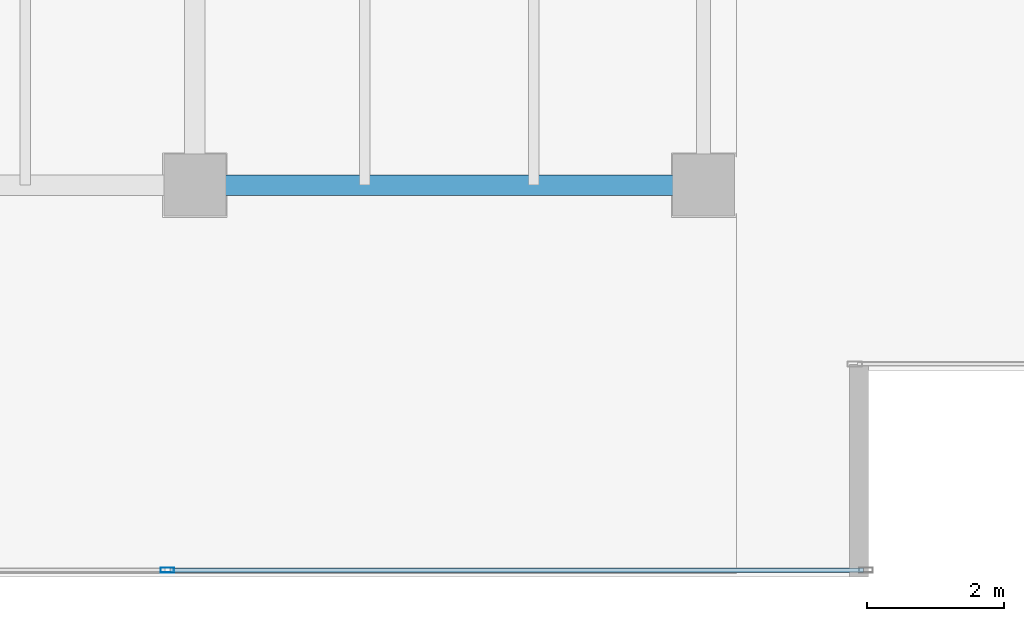
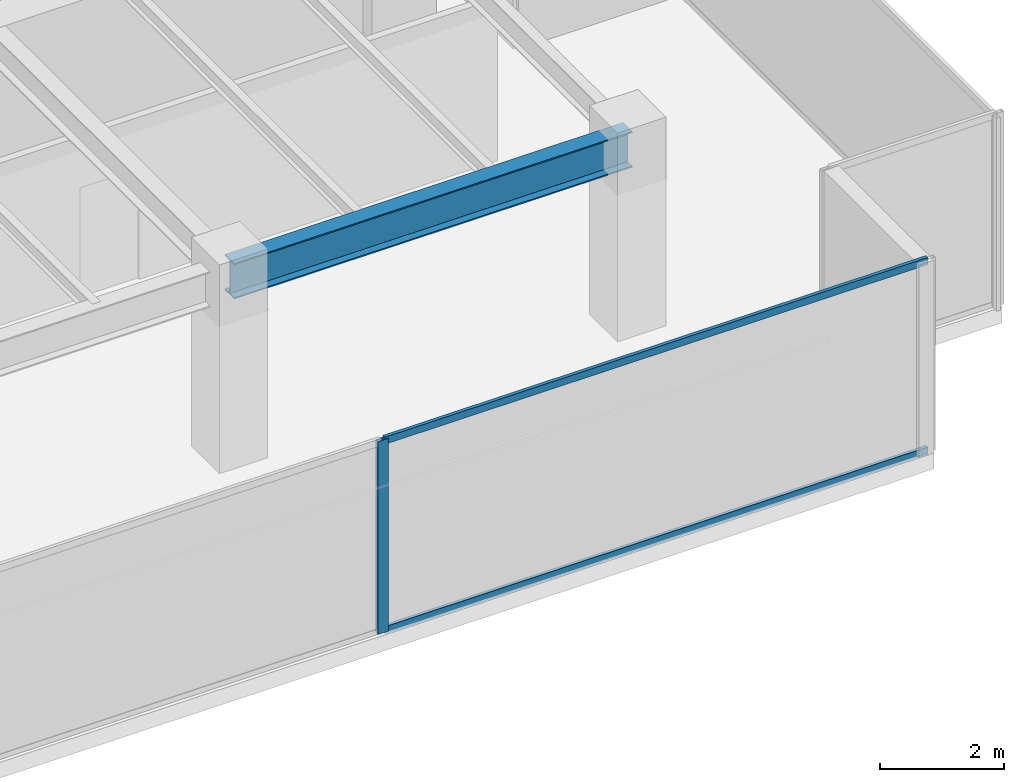
# One storey, part 12 of 34: 3 members, 1 beam, 1 element without a shape of its own.
"""IFC4 building model written with IfcOpenShell, lengths in metres."""

from ifc_helpers import new_model, si_unit, direction, frame, origin, origin_2d, place, context, subcontext, project, spatial, hollow_rectangle, i_section, extrude, source, transform, mapped, material, layer, layer_set, material_profile, profile_set, type_object, type_shapes, element, aggregate, save


model = new_model("IFC4")

# Units and contexts
model_context = context("Model", 3, precision=1e-05, world=origin(), true_north=direction((0.0, 1.0)))
body_context = subcontext(model_context, "Body", "Model", "MODEL_VIEW")
ifc_project = project(units=[si_unit("LENGTHUNIT", "METRE"), si_unit("AREAUNIT", "SQUARE_METRE"), si_unit("VOLUMEUNIT", "CUBIC_METRE"), si_unit("PLANEANGLEUNIT", "RADIAN"), si_unit("MASSUNIT", "GRAM", prefix="KILO")], contexts=[model_context])

# Site, building, storey
site_placement = place(None, origin())
site = spatial("IfcSite", under=ifc_project, at=site_placement, CompositionType="ELEMENT")
building_placement = place(site_placement, origin())
building = spatial("IfcBuilding", under=site, at=building_placement, Name="Haelvirn Gate Laboratories", CompositionType="ELEMENT")
storey_placement = place(building_placement, frame((0.0, 0.0, 178.89990234375)))
storey = spatial("IfcBuildingStorey", under=building, at=storey_placement, Name="L43", CompositionType="ELEMENT", Elevation=178.89990234375)

# Beam
ifc_material_1 = material(Name="Steel SM355", Category="steel")
ifc_material_profile_1 = material_profile(ifc_material_1, i_section(OverallWidth=0.300048828125, OverallDepth=0.699951171875, WebThickness=0.012939453125, FlangeThickness=0.02392578125, at=origin_2d()), Name="H-700x300x13x24")
ifc_profile_set_1 = profile_set([ifc_material_profile_1], Name="Steel SM355")
beam_type = type_object("IfcBeamType", Name="BM-G-700", PredefinedType="BEAM", material=ifc_profile_set_1)
shared_shape_1 = source(origin(), body_context, "Body", "SweptSolid", [
    extrude(i_section(OverallWidth=0.300048828125, OverallDepth=0.699951171875, WebThickness=0.012939453125, FlangeThickness=0.02392578125, at=origin_2d()), origin(), (0.0, 0.0, 1.0), 7.39990234375),
])
type_shapes(beam_type, [shared_shape_1])
beam_placement = place(storey_placement, frame((60.0, 7.0, 3.440185546875), z_axis=(1.0, 0.0, 0.0), x_axis=(0.0, 1.0, 0.0)))
element("IfcBeam", 1, at=beam_placement, inside=storey, type_object=beam_type, Name="L43 Primary Girder Y7.0 (60.0-67.4)", PredefinedType="BEAM", context=body_context, shape_type="MappedRepresentation", body=[
    mapped(shared_shape_1, transform((0.0, 0.0, 0.0), scale=1.0)),
])

# Curtain wall, members
ifc_material_2 = material(Name="Anodised bronze unitised aluminium & triple low-E glass", Category="aluminium")
ifc_layer = layer(ifc_material_2, 0.179931640625, Name="CW-SYS-3")
ifc_layer_set = layer_set([ifc_layer], Name="Anodised bronze unitised aluminium & triple low-E glass")
curtain_wall_type = type_object("IfcCurtainWallType", Name="CW-SYS-3", PredefinedType="NOTDEFINED", material=ifc_layer_set)
curtain_wall_placement = place(storey_placement, origin())
curtain_wall = element("IfcCurtainWall", 2, at=curtain_wall_placement, inside=storey, type_object=curtain_wall_type, Name="L43 Unitised Curtain Wall CW-L43-P0-E04-1", PredefinedType="NOTDEFINED")
ifc_material_3 = material(Name="Extruded aluminium 6063-T6 (anodised bronze)", Category="aluminium")
ifc_material_profile_2 = material_profile(ifc_material_3, hollow_rectangle(XDim=0.06494140625, YDim=0.139892578125, WallThickness=0.00390625, at=origin_2d()), Name="CWT-140x65x4")
ifc_profile_set_2 = profile_set([ifc_material_profile_2], Name="Extruded aluminium 6063-T6 (anodised bronze)")
member_type_1 = type_object("IfcMemberType", Name="CWT-T140", PredefinedType="USERDEFINED", material=ifc_profile_set_2)
shared_shape_2 = source(origin(), body_context, "Body", "SweptSolid", [
    extrude(hollow_rectangle(XDim=0.06494140625, YDim=0.139892578125, WallThickness=0.00390625, at=origin_2d()), origin(), (0.0, 0.0, 1.0), 10.087646484375),
])
type_shapes(member_type_1, [shared_shape_2])
member_1_placement = place(storey_placement, frame((59.637451171875, 1.39990234375, 0.03271484375), z_axis=(1.0, 0.0, 0.0), x_axis=(0.0, 1.0, 0.0)))
member_1 = element("IfcMember", 3, at=member_1_placement, type_object=member_type_1, Name="CW3 transom 2.1", ObjectType="TRANSOM", PredefinedType="USERDEFINED", context=body_context, shape_type="MappedRepresentation", body=[
    mapped(shared_shape_2, transform((0.0, 0.0, 0.0), scale=1.0)),
])
member_2_placement = place(storey_placement, frame((59.637451171875, 1.39990234375, 3.757568359375), z_axis=(1.0, 0.0, 0.0), x_axis=(0.0, 1.0, 0.0)))
member_2 = element("IfcMember", 4, at=member_2_placement, type_object=member_type_1, Name="CW3 transom 2.2", ObjectType="TRANSOM", PredefinedType="USERDEFINED", context=body_context, shape_type="MappedRepresentation", body=[
    mapped(shared_shape_2, transform((0.0, 0.0, 0.0), scale=1.0)),
])
ifc_material_profile_3 = material_profile(ifc_material_3, hollow_rectangle(XDim=0.074951171875, YDim=0.199951171875, WallThickness=0.0048828125, at=origin_2d()), Name="CWM-200x75x5")
ifc_profile_set_3 = profile_set([ifc_material_profile_3], Name="Extruded aluminium 6063-T6 (anodised bronze)")
member_type_2 = type_object("IfcMemberType", Name="CWM-T200", PredefinedType="MULLION", material=ifc_profile_set_3)
shared_shape_3 = source(origin(), body_context, "Body", "SweptSolid", [
    extrude(hollow_rectangle(XDim=0.074951171875, YDim=0.199951171875, WallThickness=0.0048828125, at=origin_2d()), origin(), (0.0, 0.0, 1.0), 3.7900390625),
])
type_shapes(member_type_2, [shared_shape_3])
member_3_placement = place(storey_placement, frame((59.60009765625, 1.39990234375, 0.0), z_axis=(0.0, 0.0, 1.0), x_axis=(0.0, 1.0, 0.0)))
member_3 = element("IfcMember", 5, at=member_3_placement, type_object=member_type_2, Name="CW3 mullion 2", PredefinedType="MULLION", context=body_context, shape_type="MappedRepresentation", body=[
    mapped(shared_shape_3, transform((0.0, 0.0, 0.0), scale=1.0)),
])
aggregate(curtain_wall, [member_3, member_1, member_2])

save(model, "model.ifc")
